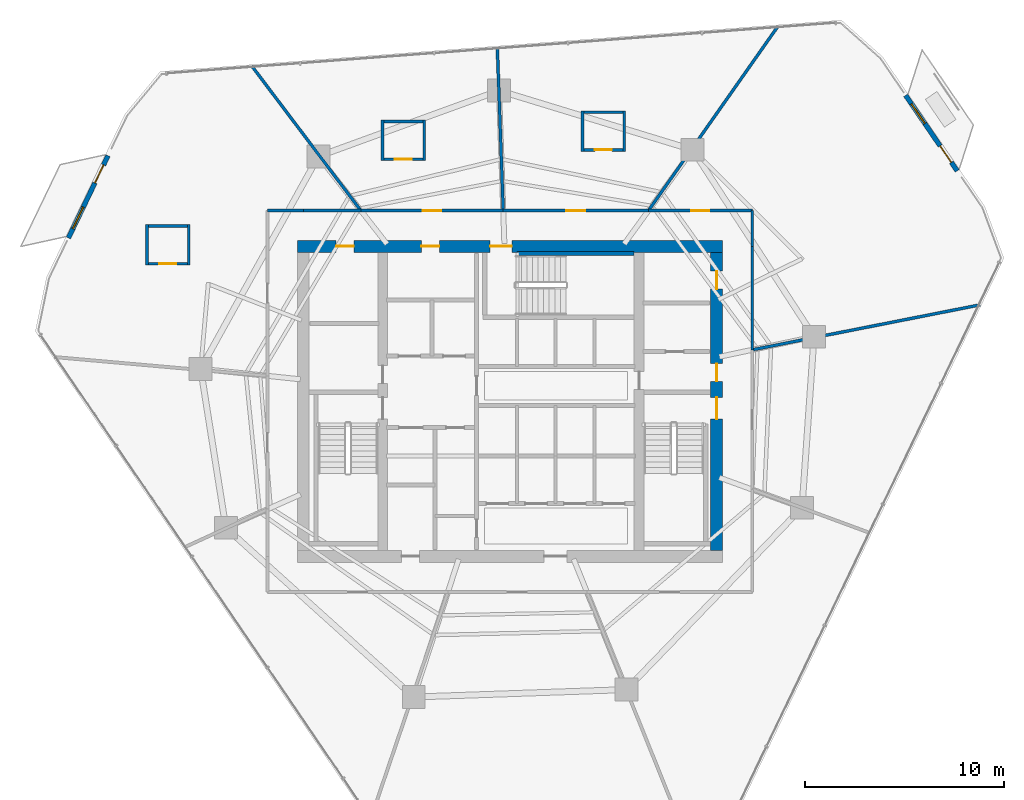
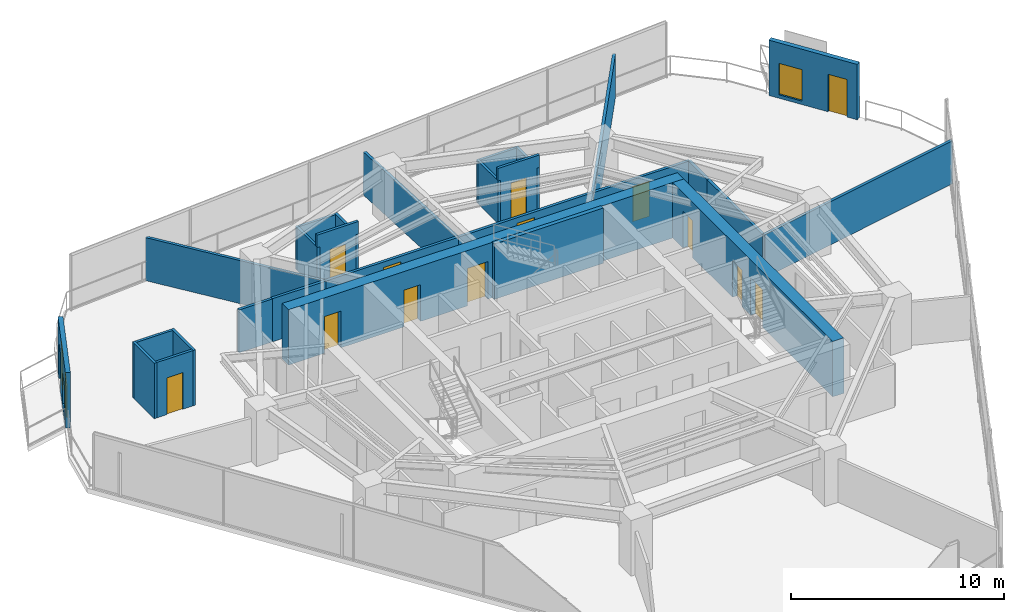
# One storey, part 26 of 30: 28 walls, 14 doors, 2 windows, 16 openings.
"""IFC4 building model written with IfcOpenShell, lengths in metres."""

from ifc_helpers import new_model, si_unit, direction, frame, frame_2d, origin, place, context, subcontext, project, spatial, rectangle, extrude, material, layer, layer_set, type_object, element, fill, save


model = new_model("IFC4")

# Units and contexts
model_context = context("Model", 3, precision=1e-05, world=origin(), true_north=direction((0.0, 1.0)))
body_context = subcontext(model_context, "Body", "Model", "MODEL_VIEW")
ifc_project = project(units=[si_unit("LENGTHUNIT", "METRE"), si_unit("AREAUNIT", "SQUARE_METRE"), si_unit("VOLUMEUNIT", "CUBIC_METRE"), si_unit("PLANEANGLEUNIT", "RADIAN"), si_unit("MASSUNIT", "GRAM", prefix="KILO")], contexts=[model_context])

# Site, building, storey
site_placement = place(None, origin())
site = spatial("IfcSite", under=ifc_project, at=site_placement, CompositionType="ELEMENT")
building_placement = place(site_placement, origin())
building = spatial("IfcBuilding", under=site, at=building_placement, Name="Qarnah Convention Tower", CompositionType="ELEMENT")
storey_placement = place(building_placement, frame((0.0, 0.0, 83.25)))
storey = spatial("IfcBuildingStorey", under=building, at=storey_placement, Name="L21", CompositionType="ELEMENT", Elevation=83.25)

# Wall, openings, doors
ifc_material_1 = material(Name="Concrete C60/75", Category="concrete")
ifc_layer_1 = layer(ifc_material_1, 0.60009765625)
ifc_layer_set_1 = layer_set([ifc_layer_1], Name="Concrete C60/75")
wall_type_1 = type_object("IfcWallType", Name="WL-CORE-600", PredefinedType="SHEAR", material=ifc_layer_set_1)
wall_1_placement = place(storey_placement, frame((26.5, 34.199951171875, 0.0), z_axis=(0.0, 0.0, 1.0), x_axis=(1.0, 0.0, 0.0)))
wall_1 = element("IfcWall", 1, at=wall_1_placement, inside=storey, type_object=wall_type_1, Name="L21 core north shear wall", PredefinedType="SHEAR", context=body_context, shape_type="SweptSolid", body=[
    extrude(rectangle(XDim=21.39990234375, YDim=0.60009765625, at=frame_2d((10.699951171875, 0.0))), origin(), (0.0, 0.0, 1.0), 3.169921875),
])
opening_1_placement = place(wall_1_placement, frame((9.699951171875, 0.0, 0.0)))
opening_1 = element("IfcOpeningElement", 2, at=opening_1_placement, cuts=wall_1, Name="Opening D-2103", PredefinedType="OPENING", context=body_context, shape_type="SweptSolid", body=[
    extrude(rectangle(XDim=1.10009765625, YDim=2.14990234375, at=frame_2d((0.550048828125, 1.074951171875))), frame((0.0, 0.31005859375, 0.0), z_axis=(0.0, -1.0, 0.0), x_axis=(1.0, 0.0, 0.0)), (0.0, 0.0, 1.0), 0.6201171875),
])
opening_2_placement = place(wall_1_placement, frame((1.949951171875, 0.0, 0.0)))
opening_2 = element("IfcOpeningElement", 3, at=opening_2_placement, cuts=wall_1, Name="Opening D-2109", PredefinedType="OPENING", context=body_context, shape_type="SweptSolid", body=[
    extrude(rectangle(XDim=0.89990234375, YDim=2.10009765625, at=frame_2d((0.449951171875, 1.050048828125))), frame((0.0, 0.31005859375, 0.0), z_axis=(0.0, -1.0, 0.0), x_axis=(1.0, 0.0, 0.0)), (0.0, 0.0, 1.0), 0.6201171875),
])
opening_3_placement = place(wall_1_placement, frame((6.25, 0.0, 0.0)))
opening_3 = element("IfcOpeningElement", 4, at=opening_3_placement, cuts=wall_1, Name="Opening D-2110", PredefinedType="OPENING", context=body_context, shape_type="SweptSolid", body=[
    extrude(rectangle(XDim=0.89990234375, YDim=2.10009765625, at=frame_2d((0.449951171875, 1.050048828125))), frame((0.0, 0.31005859375, 0.0), z_axis=(0.0, -1.0, 0.0), x_axis=(1.0, 0.0, 0.0)), (0.0, 0.0, 1.0), 0.6201171875),
])
ifc_material_2 = material(Name="Structural steel S355JR", Category="steel")
door_type_1 = type_object("IfcDoorType", Name="DT-RISER-900", OperationType="NOTDEFINED", PredefinedType="DOOR", material=ifc_material_2)
door_1_placement = place(opening_2_placement, origin())
door_1 = element("IfcDoor", 5, at=door_1_placement, inside=storey, type_object=door_type_1, Name="Door D-2109", OperationType="SINGLE_SWING_LEFT", OverallHeight=2.10009765625, OverallWidth=0.89990234375, PredefinedType="DOOR", context=body_context, shape_type="SweptSolid", body=[
    extrude(rectangle(XDim=0.89990234375, YDim=2.10009765625, at=frame_2d((0.449951171875, 1.050048828125))), frame((0.0, 0.02490234375, 0.0), z_axis=(0.0, -1.0, 0.0), x_axis=(1.0, 0.0, 0.0)), (0.0, 0.0, 1.0), 0.050048828125),
])
fill(opening_2, door_1)
door_2_placement = place(opening_3_placement, origin())
door_2 = element("IfcDoor", 6, at=door_2_placement, inside=storey, type_object=door_type_1, Name="Door D-2110", OperationType="SINGLE_SWING_RIGHT", OverallHeight=2.10009765625, OverallWidth=0.89990234375, PredefinedType="DOOR", context=body_context, shape_type="SweptSolid", body=[
    extrude(rectangle(XDim=0.89990234375, YDim=2.10009765625, at=frame_2d((0.449951171875, 1.050048828125))), frame((0.0, 0.02490234375, 0.0), z_axis=(0.0, -1.0, 0.0), x_axis=(1.0, 0.0, 0.0)), (0.0, 0.0, 1.0), 0.050048828125),
])
fill(opening_3, door_2)
door_type_2 = type_object("IfcDoorType", Name="DT-STAIR-1100", OperationType="NOTDEFINED", PredefinedType="DOOR", material=ifc_material_2)
door_3_placement = place(opening_1_placement, origin())
door_3 = element("IfcDoor", 7, at=door_3_placement, inside=storey, type_object=door_type_2, Name="Door D-2103", OperationType="SINGLE_SWING_LEFT", OverallHeight=2.14990234375, OverallWidth=1.10009765625, PredefinedType="DOOR", context=body_context, shape_type="SweptSolid", body=[
    extrude(rectangle(XDim=1.10009765625, YDim=2.14990234375, at=frame_2d((0.550048828125, 1.074951171875))), frame((0.0, 0.02490234375, 0.0), z_axis=(0.0, -1.0, 0.0), x_axis=(1.0, 0.0, 0.0)), (0.0, 0.0, 1.0), 0.050048828125),
])
fill(opening_1, door_3)

wall_2_placement = place(storey_placement, frame((47.60009765625, 18.89990234375, 0.0), z_axis=(0.0, 0.0, 1.0), x_axis=(0.0, 1.0, 0.0)))
wall_2 = element("IfcWall", 8, at=wall_2_placement, inside=storey, type_object=wall_type_1, Name="L21 core east shear wall", PredefinedType="SHEAR", context=body_context, shape_type="SweptSolid", body=[
    extrude(rectangle(XDim=15.0, YDim=0.60009765625, at=frame_2d((7.5, 0.0))), origin(), (0.0, 0.0, 1.0), 3.169921875),
])
opening_4_placement = place(wall_2_placement, frame((6.60009765625, 0.0, 0.0)))
opening_4 = element("IfcOpeningElement", 9, at=opening_4_placement, cuts=wall_2, Name="Opening D-2102", PredefinedType="OPENING", context=body_context, shape_type="SweptSolid", body=[
    extrude(rectangle(XDim=1.10009765625, YDim=2.14990234375, at=frame_2d((0.550048828125, 1.074951171875))), frame((0.0, 0.31005859375, 0.0), z_axis=(0.0, -1.0, 0.0), x_axis=(1.0, 0.0, 0.0)), (0.0, 0.0, 1.0), 0.6201171875),
])
opening_5_placement = place(wall_2_placement, frame((8.5, 0.0, 0.0)))
opening_5 = element("IfcOpeningElement", 10, at=opening_5_placement, cuts=wall_2, Name="Opening D-2106", PredefinedType="OPENING", context=body_context, shape_type="SweptSolid", body=[
    extrude(rectangle(XDim=0.89990234375, YDim=2.10009765625, at=frame_2d((0.449951171875, 1.050048828125))), frame((0.0, 0.31005859375, 0.0), z_axis=(0.0, -1.0, 0.0), x_axis=(1.0, 0.0, 0.0)), (0.0, 0.0, 1.0), 0.6201171875),
])
opening_6_placement = place(wall_2_placement, frame((13.14990234375, 0.0, 0.0)))
opening_6 = element("IfcOpeningElement", 11, at=opening_6_placement, cuts=wall_2, Name="Opening D-2112", PredefinedType="OPENING", context=body_context, shape_type="SweptSolid", body=[
    extrude(rectangle(XDim=0.89990234375, YDim=2.10009765625, at=frame_2d((0.449951171875, 1.050048828125))), frame((0.0, 0.31005859375, 0.0), z_axis=(0.0, -1.0, 0.0), x_axis=(1.0, 0.0, 0.0)), (0.0, 0.0, 1.0), 0.6201171875),
])
door_4_placement = place(opening_5_placement, origin())
door_4 = element("IfcDoor", 12, at=door_4_placement, inside=storey, type_object=door_type_1, Name="Door D-2106", OperationType="SINGLE_SWING_RIGHT", OverallHeight=2.10009765625, OverallWidth=0.89990234375, PredefinedType="DOOR", context=body_context, shape_type="SweptSolid", body=[
    extrude(rectangle(XDim=0.89990234375, YDim=2.10009765625, at=frame_2d((0.449951171875, 1.050048828125))), frame((0.0, 0.02490234375, 0.0), z_axis=(0.0, -1.0, 0.0), x_axis=(1.0, 0.0, 0.0)), (0.0, 0.0, 1.0), 0.050048828125),
])
fill(opening_5, door_4)
door_5_placement = place(opening_6_placement, origin())
door_5 = element("IfcDoor", 13, at=door_5_placement, inside=storey, type_object=door_type_1, Name="Door D-2112", OperationType="SINGLE_SWING_RIGHT", OverallHeight=2.10009765625, OverallWidth=0.89990234375, PredefinedType="DOOR", context=body_context, shape_type="SweptSolid", body=[
    extrude(rectangle(XDim=0.89990234375, YDim=2.10009765625, at=frame_2d((0.449951171875, 1.050048828125))), frame((0.0, 0.02490234375, 0.0), z_axis=(0.0, -1.0, 0.0), x_axis=(1.0, 0.0, 0.0)), (0.0, 0.0, 1.0), 0.050048828125),
])
fill(opening_6, door_5)
door_6_placement = place(opening_4_placement, origin())
door_6 = element("IfcDoor", 14, at=door_6_placement, inside=storey, type_object=door_type_2, Name="Door D-2102", OperationType="SINGLE_SWING_RIGHT", OverallHeight=2.14990234375, OverallWidth=1.10009765625, PredefinedType="DOOR", context=body_context, shape_type="SweptSolid", body=[
    extrude(rectangle(XDim=1.10009765625, YDim=2.14990234375, at=frame_2d((0.550048828125, 1.074951171875))), frame((0.0, 0.02490234375, 0.0), z_axis=(0.0, -1.0, 0.0), x_axis=(1.0, 0.0, 0.0)), (0.0, 0.0, 1.0), 0.050048828125),
])
fill(opening_4, door_6)

# Wall
ifc_layer_2 = layer(ifc_material_1, 0.219970703125)
ifc_layer_set_2 = layer_set([ifc_layer_2], Name="Concrete C60/75")
wall_type_2 = type_object("IfcWallType", Name="WL-CORE-STAIR-220", PredefinedType="SHEAR", material=ifc_layer_set_2)
wall_3_placement = place(storey_placement, frame((37.550048828125, 33.840087890625, 0.0), z_axis=(0.0, 0.0, 1.0), x_axis=(1.0, 0.0, 0.0)))
element("IfcWall", 15, at=wall_3_placement, inside=storey, type_object=wall_type_2, Name="L21 stair shaft shear wall SW-L21-ST3N", PredefinedType="SHEAR", context=body_context, shape_type="SweptSolid", body=[
    extrude(rectangle(XDim=5.89990234375, YDim=0.219970703125, at=frame_2d((2.949951171875, 0.0))), origin(), (0.0, 0.0, 1.0), 3.169921875),
])

# Wall, openings, door, window
ifc_material_3 = material(Name="Precast concrete C45/55", Category="concrete")
ifc_layer_3 = layer(ifc_material_3, 0.239990234375)
ifc_layer_set_3 = layer_set([ifc_layer_3], Name="Precast concrete C45/55")
wall_type_3 = type_object("IfcWallType", Name="WL-EXT-BAL-240", PredefinedType="SOLIDWALL", material=ifc_layer_set_3)
wall_4_placement = place(storey_placement, frame((57.12109375, 41.800048828125, 0.0), z_axis=(0.0, 0.0, 1.0), x_axis=(0.56364471983, -0.82601733021, 0.0)))
wall_4 = element("IfcWall", 16, at=wall_4_placement, inside=storey, type_object=wall_type_3, Name="L21 loggia threshold wall BAL-L21-C1", PredefinedType="SOLIDWALL", context=body_context, shape_type="SweptSolid", body=[
    extrude(rectangle(XDim=4.600341796875, YDim=0.239990234375, at=frame_2d((2.30029296875, 0.0))), origin(), (0.0, 0.0, 1.0), 3.169921875),
])
opening_7_placement = place(wall_4_placement, frame((3.080078125, 0.0, 0.0)))
opening_7 = element("IfcOpeningElement", 17, at=opening_7_placement, cuts=wall_4, Name="Opening BD-2101", PredefinedType="OPENING", context=body_context, shape_type="SweptSolid", body=[
    extrude(rectangle(XDim=1.0, YDim=2.14990234375, at=frame_2d((0.5, 1.074951171875))), frame((0.0, 0.1298828125, 0.0), z_axis=(0.0, -1.0, 0.0), x_axis=(1.0, 0.0, 0.0)), (0.0, 0.0, 1.0), 0.260009765625),
])
opening_8_placement = place(wall_4_placement, frame((0.52001953125, 0.0, 0.199951171875)))
opening_8 = element("IfcOpeningElement", 18, at=opening_8_placement, cuts=wall_4, Name="Opening WN5", PredefinedType="OPENING", context=body_context, shape_type="SweptSolid", body=[
    extrude(rectangle(XDim=1.199951171875, YDim=1.800048828125, at=frame_2d((0.60009765625, 0.89990234375))), frame((0.0, 0.1298828125, 0.0), z_axis=(0.0, -1.0, 0.0), x_axis=(1.0, 0.0, 0.0)), (0.0, 0.0, 1.0), 0.260009765625),
])
ifc_material_4 = material(Name="Black anodised aluminium", Category="aluminium")
door_type_3 = type_object("IfcDoorType", Name="DT-BAL-1000", OperationType="NOTDEFINED", PredefinedType="DOOR", material=ifc_material_4)
door_7_placement = place(opening_7_placement, origin())
door_7 = element("IfcDoor", 19, at=door_7_placement, inside=storey, type_object=door_type_3, Name="L21 balcony terrace door BAL-L21-C1", OperationType="SINGLE_SWING_LEFT", OverallHeight=2.14990234375, OverallWidth=1.0, PredefinedType="DOOR", context=body_context, shape_type="SweptSolid", body=[
    extrude(rectangle(XDim=1.0, YDim=2.14990234375, at=frame_2d((0.5, 1.074951171875))), frame((0.0, 0.02490234375, 0.0), z_axis=(0.0, -1.0, 0.0), x_axis=(1.0, 0.0, 0.0)), (0.0, 0.0, 1.0), 0.050048828125),
])
fill(opening_7, door_7)
ifc_material_5 = material(Name="Tempered Low-E dark glass", Category="glass")
window_type = type_object("IfcWindowType", Name="WT-BAL-1200X1800", PartitioningType="SINGLE_PANEL", PredefinedType="WINDOW", material=ifc_material_5)
window_1_placement = place(opening_8_placement, origin())
window_1 = element("IfcWindow", 20, at=window_1_placement, inside=storey, type_object=window_type, Name="Window BW-BAL-L21-C1", OverallHeight=1.800048828125, OverallWidth=1.199951171875, PartitioningType="SINGLE_PANEL", PredefinedType="WINDOW", context=body_context, shape_type="SweptSolid", body=[
    extrude(rectangle(XDim=1.199951171875, YDim=1.800048828125, at=frame_2d((0.60009765625, 0.89990234375))), frame((0.0, 0.030029296875, 0.0), z_axis=(0.0, -1.0, 0.0), x_axis=(1.0, 0.0, 0.0)), (0.0, 0.0, 1.0), 0.06005859375),
])
fill(opening_8, window_1)

wall_5_placement = place(storey_placement, frame((14.97900390625, 34.62109375, 0.0), z_axis=(0.0, 0.0, 1.0), x_axis=(0.433233086898, 0.901281916171, 0.0)))
wall_5 = element("IfcWall", 21, at=wall_5_placement, inside=storey, type_object=wall_type_3, Name="L21 loggia threshold wall BAL-L21-C2", PredefinedType="SOLIDWALL", context=body_context, shape_type="SweptSolid", body=[
    extrude(rectangle(XDim=4.60009765625, YDim=0.239990234375, at=frame_2d((2.300048828125, 0.0))), origin(), (0.0, 0.0, 1.0), 3.169921875),
])
opening_9_placement = place(wall_5_placement, frame((3.080078125, 0.0, 0.0)))
opening_9 = element("IfcOpeningElement", 22, at=opening_9_placement, cuts=wall_5, Name="Opening BD-2102", PredefinedType="OPENING", context=body_context, shape_type="SweptSolid", body=[
    extrude(rectangle(XDim=1.0, YDim=2.14990234375, at=frame_2d((0.5, 1.074951171875))), frame((0.0, 0.1298828125, 0.0), z_axis=(0.0, -1.0, 0.0), x_axis=(1.0, 0.0, 0.0)), (0.0, 0.0, 1.0), 0.260009765625),
])
opening_10_placement = place(wall_5_placement, frame((0.52001953125, 0.0, 0.199951171875)))
opening_10 = element("IfcOpeningElement", 23, at=opening_10_placement, cuts=wall_5, Name="Opening WN5", PredefinedType="OPENING", context=body_context, shape_type="SweptSolid", body=[
    extrude(rectangle(XDim=1.199951171875, YDim=1.800048828125, at=frame_2d((0.60009765625, 0.89990234375))), frame((0.0, 0.1298828125, 0.0), z_axis=(0.0, -1.0, 0.0), x_axis=(1.0, 0.0, 0.0)), (0.0, 0.0, 1.0), 0.260009765625),
])
door_8_placement = place(opening_9_placement, origin())
door_8 = element("IfcDoor", 24, at=door_8_placement, inside=storey, type_object=door_type_3, Name="L21 balcony terrace door BAL-L21-C2", OperationType="SINGLE_SWING_RIGHT", OverallHeight=2.14990234375, OverallWidth=1.0, PredefinedType="DOOR", context=body_context, shape_type="SweptSolid", body=[
    extrude(rectangle(XDim=1.0, YDim=2.14990234375, at=frame_2d((0.5, 1.074951171875))), frame((0.0, 0.02490234375, 0.0), z_axis=(0.0, -1.0, 0.0), x_axis=(1.0, 0.0, 0.0)), (0.0, 0.0, 1.0), 0.050048828125),
])
fill(opening_9, door_8)
window_2_placement = place(opening_10_placement, origin())
window_2 = element("IfcWindow", 25, at=window_2_placement, inside=storey, type_object=window_type, Name="Window BW-BAL-L21-C2", OverallHeight=1.800048828125, OverallWidth=1.199951171875, PartitioningType="SINGLE_PANEL", PredefinedType="WINDOW", context=body_context, shape_type="SweptSolid", body=[
    extrude(rectangle(XDim=1.199951171875, YDim=1.800048828125, at=frame_2d((0.60009765625, 0.89990234375))), frame((0.0, 0.030029296875, 0.0), z_axis=(0.0, -1.0, 0.0), x_axis=(1.0, 0.0, 0.0)), (0.0, 0.0, 1.0), 0.06005859375),
])
fill(opening_10, window_2)

# Wall
ifc_material_6 = material(Name="Gypsum partition board")
ifc_layer_4 = layer(ifc_material_6, 0.14990234375)
ifc_layer_set_4 = layer_set([ifc_layer_4], Name="Gypsum partition board")
wall_type_4 = type_object("IfcWallType", Name="WL-SUITE-150", PredefinedType="PARTITIONING", material=ifc_layer_set_4)
wall_6_placement = place(storey_placement, frame((50.701904296875, 45.2919921875, 0.0), z_axis=(0.0, 0.0, 1.0), x_axis=(-0.574789126983, -0.818301570023, 0.0)))
element("IfcWall", 26, at=wall_6_placement, inside=storey, type_object=wall_type_4, Name="L21 interior wall IW-L21-R-13", PredefinedType="PARTITIONING", context=body_context, shape_type="SweptSolid", body=[
    extrude(rectangle(XDim=11.355224609375, YDim=0.14990234375, at=frame_2d((5.677734375, 0.0))), origin(), (0.0, 0.0, 1.0), 2.467041015625),
])

# Wall, opening, door
wall_7_placement = place(storey_placement, frame((44.175048828125, 36.0, 0.0), z_axis=(0.0, 0.0, 1.0), x_axis=(1.0, 0.0, 0.0)))
wall_7 = element("IfcWall", 27, at=wall_7_placement, inside=storey, type_object=wall_type_4, Name="L21 interior wall IW-L21-R-14", PredefinedType="PARTITIONING", context=body_context, shape_type="SweptSolid", body=[
    extrude(rectangle(XDim=5.224853515625, YDim=0.14990234375, at=frame_2d((2.6123046875, 0.0))), origin(), (0.0, 0.0, 1.0), 2.455078125),
])
opening_11_placement = place(wall_7_placement, frame((2.1630859375, 0.0, 0.0)))
opening_11 = element("IfcOpeningElement", 28, at=opening_11_placement, cuts=wall_7, Name="Opening D-2116", PredefinedType="OPENING", context=body_context, shape_type="SweptSolid", body=[
    extrude(rectangle(XDim=0.89990234375, YDim=2.0, at=frame_2d((0.449951171875, 1.0))), frame((0.0, 0.0849609375, 0.0), z_axis=(0.0, -1.0, 0.0), x_axis=(1.0, 0.0, 0.0)), (0.0, 0.0, 1.0), 0.169921875),
])
door_type_4 = type_object("IfcDoorType", Name="DT-PLANT-900", OperationType="NOTDEFINED", PredefinedType="DOOR", material=ifc_material_2)
door_9_placement = place(opening_11_placement, origin())
door_9 = element("IfcDoor", 29, at=door_9_placement, inside=storey, type_object=door_type_4, Name="Door D-2116", OperationType="SINGLE_SWING_RIGHT", OverallHeight=2.0, OverallWidth=0.89990234375, PredefinedType="DOOR", context=body_context, shape_type="SweptSolid", body=[
    extrude(rectangle(XDim=0.89990234375, YDim=2.0, at=frame_2d((0.449951171875, 1.0))), frame((0.0, 0.02490234375, 0.0), z_axis=(0.0, -1.0, 0.0), x_axis=(1.0, 0.0, 0.0)), (0.0, 0.0, 1.0), 0.050048828125),
])
fill(opening_11, door_9)

# Walls
wall_8_placement = place(storey_placement, frame((49.39990234375, 36.0, 0.0), z_axis=(0.0, 0.0, 1.0), x_axis=(0.0, -1.0, 0.0)))
element("IfcWall", 30, at=wall_8_placement, inside=storey, type_object=wall_type_4, Name="L21 interior wall IW-L21-R-15", PredefinedType="PARTITIONING", context=body_context, shape_type="SweptSolid", body=[
    extrude(rectangle(XDim=1.800048828125, YDim=0.14990234375, at=frame_2d((0.89990234375, 0.0))), origin(), (0.0, 0.0, 1.0), 2.455078125),
])
wall_9_placement = place(storey_placement, frame((49.39990234375, 34.199951171875, 0.0), z_axis=(0.0, 0.0, 1.0), x_axis=(0.0, -1.0, 0.0)))
element("IfcWall", 31, at=wall_9_placement, inside=storey, type_object=wall_type_4, Name="L21 interior wall IW-L21-R-16", PredefinedType="PARTITIONING", context=body_context, shape_type="SweptSolid", body=[
    extrude(rectangle(XDim=5.20703125, YDim=0.14990234375, at=frame_2d((2.603515625, 0.0))), origin(), (0.0, 0.0, 1.0), 2.455078125),
])
wall_10_placement = place(storey_placement, frame((49.39990234375, 28.992919921875, 0.0), z_axis=(0.0, 0.0, 1.0), x_axis=(0.981084988004, 0.193577494334, 0.0)))
element("IfcWall", 32, at=wall_10_placement, inside=storey, type_object=wall_type_4, Name="L21 interior wall IW-L21-R-17", PredefinedType="PARTITIONING", context=body_context, shape_type="SweptSolid", body=[
    extrude(rectangle(XDim=11.69140625, YDim=0.14990234375, at=frame_2d((5.845703125, 0.0))), origin(), (0.0, 0.0, 1.0), 2.467041015625),
])
wall_11_placement = place(storey_placement, frame((36.56689453125, 44.2060546875, 0.0), z_axis=(0.0, 0.0, 1.0), x_axis=(0.036302367609, -0.999340851815, 0.0)))
element("IfcWall", 33, at=wall_11_placement, inside=storey, type_object=wall_type_4, Name="L21 interior wall IW-L21-R-18", PredefinedType="PARTITIONING", context=body_context, shape_type="SweptSolid", body=[
    extrude(rectangle(XDim=8.21142578125, YDim=0.14990234375, at=frame_2d((4.105712890625, 0.0))), origin(), (0.0, 0.0, 1.0), 2.467041015625),
])

# Wall, opening, door
wall_12_placement = place(storey_placement, frame((36.864990234375, 36.0, 0.0), z_axis=(0.0, 0.0, 1.0), x_axis=(1.0, 0.0, 0.0)))
wall_12 = element("IfcWall", 34, at=wall_12_placement, inside=storey, type_object=wall_type_4, Name="L21 interior wall IW-L21-R-19", PredefinedType="PARTITIONING", context=body_context, shape_type="SweptSolid", body=[
    extrude(rectangle(XDim=7.31005859375, YDim=0.14990234375, at=frame_2d((3.655029296875, 0.0))), origin(), (0.0, 0.0, 1.0), 2.467041015625),
])
opening_12_placement = place(wall_12_placement, frame((3.179931640625, 0.0, 0.0)))
opening_12 = element("IfcOpeningElement", 35, at=opening_12_placement, cuts=wall_12, Name="Opening D-2117", PredefinedType="OPENING", context=body_context, shape_type="SweptSolid", body=[
    extrude(rectangle(XDim=0.949951171875, YDim=2.14990234375, at=frame_2d((0.47509765625, 1.074951171875))), frame((0.0, 0.0849609375, 0.0), z_axis=(0.0, -1.0, 0.0), x_axis=(1.0, 0.0, 0.0)), (0.0, 0.0, 1.0), 0.169921875),
])
ifc_material_7 = material(Name="Oak timber veneer", Category="wood")
door_type_5 = type_object("IfcDoorType", Name="DT-HOTEL-950", OperationType="NOTDEFINED", PredefinedType="DOOR", material=ifc_material_7)
door_10_placement = place(opening_12_placement, origin())
door_10 = element("IfcDoor", 36, at=door_10_placement, inside=storey, type_object=door_type_5, Name="Door D-2117", OperationType="SINGLE_SWING_LEFT", OverallHeight=2.14990234375, OverallWidth=0.949951171875, PredefinedType="DOOR", context=body_context, shape_type="SweptSolid", body=[
    extrude(rectangle(XDim=0.949951171875, YDim=2.14990234375, at=frame_2d((0.47509765625, 1.074951171875))), frame((0.0, 0.02490234375, 0.0), z_axis=(0.0, -1.0, 0.0), x_axis=(1.0, 0.0, 0.0)), (0.0, 0.0, 1.0), 0.050048828125),
])
fill(opening_12, door_10)

# Wall
wall_13_placement = place(storey_placement, frame((24.205078125, 43.284912109375, 0.0), z_axis=(0.0, 0.0, 1.0), x_axis=(0.602185283837, -0.798356363994, 0.0)))
element("IfcWall", 37, at=wall_13_placement, inside=storey, type_object=wall_type_4, Name="L21 interior wall IW-L21-R-20", PredefinedType="PARTITIONING", context=body_context, shape_type="SweptSolid", body=[
    extrude(rectangle(XDim=9.125, YDim=0.14990234375, at=frame_2d((4.5625, 0.0))), origin(), (0.0, 0.0, 1.0), 2.467041015625),
])

# Wall, opening, door
wall_14_placement = place(storey_placement, frame((29.699951171875, 36.0, 0.0), z_axis=(0.0, 0.0, 1.0), x_axis=(1.0, 0.0, 0.0)))
wall_14 = element("IfcWall", 38, at=wall_14_placement, inside=storey, type_object=wall_type_4, Name="L21 interior wall IW-L21-R-21", PredefinedType="PARTITIONING", context=body_context, shape_type="SweptSolid", body=[
    extrude(rectangle(XDim=7.1650390625, YDim=0.14990234375, at=frame_2d((3.58251953125, 0.0))), origin(), (0.0, 0.0, 1.0), 2.467041015625),
])
opening_13_placement = place(wall_14_placement, frame((3.10791015625, 0.0, 0.0)))
opening_13 = element("IfcOpeningElement", 39, at=opening_13_placement, cuts=wall_14, Name="Opening D-2119", PredefinedType="OPENING", context=body_context, shape_type="SweptSolid", body=[
    extrude(rectangle(XDim=0.949951171875, YDim=2.14990234375, at=frame_2d((0.47509765625, 1.074951171875))), frame((0.0, 0.0849609375, 0.0), z_axis=(0.0, -1.0, 0.0), x_axis=(1.0, 0.0, 0.0)), (0.0, 0.0, 1.0), 0.169921875),
])
door_11_placement = place(opening_13_placement, origin())
door_11 = element("IfcDoor", 40, at=door_11_placement, inside=storey, type_object=door_type_5, Name="Door D-2119", OperationType="SINGLE_SWING_LEFT", OverallHeight=2.14990234375, OverallWidth=0.949951171875, PredefinedType="DOOR", context=body_context, shape_type="SweptSolid", body=[
    extrude(rectangle(XDim=0.949951171875, YDim=2.14990234375, at=frame_2d((0.47509765625, 1.074951171875))), frame((0.0, 0.02490234375, 0.0), z_axis=(0.0, -1.0, 0.0), x_axis=(1.0, 0.0, 0.0)), (0.0, 0.0, 1.0), 0.050048828125),
])
fill(opening_13, door_11)

# Walls
wall_15_placement = place(storey_placement, frame((25.0, 36.0, 0.0), z_axis=(0.0, 0.0, 1.0), x_axis=(1.0, 0.0, 0.0)))
element("IfcWall", 41, at=wall_15_placement, inside=storey, type_object=wall_type_4, Name="L21 interior wall IW-L21-R-24", PredefinedType="PARTITIONING", context=body_context, shape_type="SweptSolid", body=[
    extrude(rectangle(XDim=1.800048828125, YDim=0.14990234375, at=frame_2d((0.89990234375, 0.0))), origin(), (0.0, 0.0, 1.0), 2.455078125),
])
wall_16_placement = place(storey_placement, frame((26.800048828125, 36.0, 0.0), z_axis=(0.0, 0.0, 1.0), x_axis=(1.0, 0.0, 0.0)))
element("IfcWall", 42, at=wall_16_placement, inside=storey, type_object=wall_type_4, Name="L21 interior wall IW-L21-R-25", PredefinedType="PARTITIONING", context=body_context, shape_type="SweptSolid", body=[
    extrude(rectangle(XDim=2.89990234375, YDim=0.14990234375, at=frame_2d((1.449951171875, 0.0))), origin(), (0.0, 0.0, 1.0), 2.467041015625),
])

# Wall, opening, door
ifc_layer_5 = layer(ifc_material_6, 0.139892578125)
ifc_layer_set_5 = layer_set([ifc_layer_5], Name="Gypsum partition board")
wall_type_5 = type_object("IfcWallType", Name="WL-WET-140", PredefinedType="PARTITIONING", material=ifc_layer_set_5)
wall_17_placement = place(storey_placement, frame((40.783935546875, 39.052978515625, 0.0), z_axis=(0.0, 0.0, 1.0), x_axis=(1.0, 0.0, 0.0)))
wall_17 = element("IfcWall", 43, at=wall_17_placement, inside=storey, type_object=wall_type_5, Name="L21 interior wall IW-L21-ENS01-1", PredefinedType="PARTITIONING", context=body_context, shape_type="SweptSolid", body=[
    extrude(rectangle(XDim=2.239990234375, YDim=0.139892578125, at=frame_2d((1.1201171875, 0.0))), origin(), (0.0, 0.0, 1.0), 3.169921875),
])
opening_14_placement = place(wall_17_placement, frame((0.695068359375, 0.0, 0.0)))
opening_14 = element("IfcOpeningElement", 44, at=opening_14_placement, cuts=wall_17, Name="Opening D-2118", PredefinedType="OPENING", context=body_context, shape_type="SweptSolid", body=[
    extrude(rectangle(XDim=0.85009765625, YDim=2.10009765625, at=frame_2d((0.425048828125, 1.050048828125))), frame((0.0, 0.079833984375, 0.0), z_axis=(0.0, -1.0, 0.0), x_axis=(1.0, 0.0, 0.0)), (0.0, 0.0, 1.0), 0.159912109375),
])
door_type_6 = type_object("IfcDoorType", Name="DT-BATH-850", OperationType="NOTDEFINED", PredefinedType="DOOR", material=ifc_material_7)
door_12_placement = place(opening_14_placement, origin())
door_12 = element("IfcDoor", 45, at=door_12_placement, inside=storey, type_object=door_type_6, Name="Door D-2118", OperationType="SINGLE_SWING_RIGHT", OverallHeight=2.10009765625, OverallWidth=0.85009765625, PredefinedType="DOOR", context=body_context, shape_type="SweptSolid", body=[
    extrude(rectangle(XDim=0.85009765625, YDim=2.10009765625, at=frame_2d((0.425048828125, 1.050048828125))), frame((0.0, 0.02490234375, 0.0), z_axis=(0.0, -1.0, 0.0), x_axis=(1.0, 0.0, 0.0)), (0.0, 0.0, 1.0), 0.050048828125),
])
fill(opening_14, door_12)

# Walls
wall_18_placement = place(storey_placement, frame((42.9541015625, 38.98291015625, 0.0), z_axis=(0.0, 0.0, 1.0), x_axis=(0.0, 1.0, 0.0)))
element("IfcWall", 46, at=wall_18_placement, inside=storey, type_object=wall_type_5, Name="L21 interior wall IW-L21-ENS01-2", PredefinedType="PARTITIONING", context=body_context, shape_type="SweptSolid", body=[
    extrude(rectangle(XDim=2.0400390625, YDim=0.139892578125, at=frame_2d((1.02001953125, 0.0))), origin(), (0.0, 0.0, 1.0), 2.455078125),
])
wall_19_placement = place(storey_placement, frame((43.02392578125, 40.952880859375, 0.0), z_axis=(0.0, 0.0, 1.0), x_axis=(-1.0, 0.0, 0.0)))
element("IfcWall", 47, at=wall_19_placement, inside=storey, type_object=wall_type_5, Name="L21 interior wall IW-L21-ENS01-3", PredefinedType="PARTITIONING", context=body_context, shape_type="SweptSolid", body=[
    extrude(rectangle(XDim=2.239990234375, YDim=0.139892578125, at=frame_2d((1.1201171875, 0.0))), origin(), (0.0, 0.0, 1.0), 2.455078125),
])
wall_20_placement = place(storey_placement, frame((40.85400390625, 41.02294921875, 0.0), z_axis=(0.0, 0.0, 1.0), x_axis=(0.0, -1.0, 0.0)))
element("IfcWall", 48, at=wall_20_placement, inside=storey, type_object=wall_type_5, Name="L21 interior wall IW-L21-ENS01-4", PredefinedType="PARTITIONING", context=body_context, shape_type="SweptSolid", body=[
    extrude(rectangle(XDim=2.0400390625, YDim=0.139892578125, at=frame_2d((1.02001953125, 0.0))), origin(), (0.0, 0.0, 1.0), 2.455078125),
])

# Wall, opening, door
wall_21_placement = place(storey_placement, frame((30.719970703125, 38.583984375, 0.0), z_axis=(0.0, 0.0, 1.0), x_axis=(1.0, 0.0, 0.0)))
wall_21 = element("IfcWall", 49, at=wall_21_placement, inside=storey, type_object=wall_type_5, Name="L21 interior wall IW-L21-ENS02-1", PredefinedType="PARTITIONING", context=body_context, shape_type="SweptSolid", body=[
    extrude(rectangle(XDim=2.239990234375, YDim=0.139892578125, at=frame_2d((1.1201171875, 0.0))), origin(), (0.0, 0.0, 1.0), 3.169921875),
])
opening_15_placement = place(wall_21_placement, frame((0.695068359375, 0.0, 0.0)))
opening_15 = element("IfcOpeningElement", 50, at=opening_15_placement, cuts=wall_21, Name="Opening D-2120", PredefinedType="OPENING", context=body_context, shape_type="SweptSolid", body=[
    extrude(rectangle(XDim=0.85009765625, YDim=2.10009765625, at=frame_2d((0.425048828125, 1.050048828125))), frame((0.0, 0.079833984375, 0.0), z_axis=(0.0, -1.0, 0.0), x_axis=(1.0, 0.0, 0.0)), (0.0, 0.0, 1.0), 0.159912109375),
])
door_13_placement = place(opening_15_placement, origin())
door_13 = element("IfcDoor", 51, at=door_13_placement, inside=storey, type_object=door_type_6, Name="Door D-2120", OperationType="SINGLE_SWING_RIGHT", OverallHeight=2.10009765625, OverallWidth=0.85009765625, PredefinedType="DOOR", context=body_context, shape_type="SweptSolid", body=[
    extrude(rectangle(XDim=0.85009765625, YDim=2.10009765625, at=frame_2d((0.425048828125, 1.050048828125))), frame((0.0, 0.02490234375, 0.0), z_axis=(0.0, -1.0, 0.0), x_axis=(1.0, 0.0, 0.0)), (0.0, 0.0, 1.0), 0.050048828125),
])
fill(opening_15, door_13)

# Walls
wall_22_placement = place(storey_placement, frame((32.889892578125, 38.513916015625, 0.0), z_axis=(0.0, 0.0, 1.0), x_axis=(0.0, 1.0, 0.0)))
element("IfcWall", 52, at=wall_22_placement, inside=storey, type_object=wall_type_5, Name="L21 interior wall IW-L21-ENS02-2", PredefinedType="PARTITIONING", context=body_context, shape_type="SweptSolid", body=[
    extrude(rectangle(XDim=2.0400390625, YDim=0.139892578125, at=frame_2d((1.02001953125, 0.0))), origin(), (0.0, 0.0, 1.0), 2.455078125),
])
wall_23_placement = place(storey_placement, frame((32.9599609375, 40.48388671875, 0.0), z_axis=(0.0, 0.0, 1.0), x_axis=(-1.0, 0.0, 0.0)))
element("IfcWall", 53, at=wall_23_placement, inside=storey, type_object=wall_type_5, Name="L21 interior wall IW-L21-ENS02-3", PredefinedType="PARTITIONING", context=body_context, shape_type="SweptSolid", body=[
    extrude(rectangle(XDim=2.239990234375, YDim=0.139892578125, at=frame_2d((1.1201171875, 0.0))), origin(), (0.0, 0.0, 1.0), 2.455078125),
])
wall_24_placement = place(storey_placement, frame((30.7900390625, 40.553955078125, 0.0), z_axis=(0.0, 0.0, 1.0), x_axis=(0.0, -1.0, 0.0)))
element("IfcWall", 54, at=wall_24_placement, inside=storey, type_object=wall_type_5, Name="L21 interior wall IW-L21-ENS02-4", PredefinedType="PARTITIONING", context=body_context, shape_type="SweptSolid", body=[
    extrude(rectangle(XDim=2.0400390625, YDim=0.139892578125, at=frame_2d((1.02001953125, 0.0))), origin(), (0.0, 0.0, 1.0), 2.455078125),
])

# Wall, opening, door
wall_25_placement = place(storey_placement, frame((18.864013671875, 33.323974609375, 0.0), z_axis=(0.0, 0.0, 1.0), x_axis=(1.0, 0.0, 0.0)))
wall_25 = element("IfcWall", 55, at=wall_25_placement, inside=storey, type_object=wall_type_5, Name="L21 interior wall IW-L21-ENS03-1", PredefinedType="PARTITIONING", context=body_context, shape_type="SweptSolid", body=[
    extrude(rectangle(XDim=2.239990234375, YDim=0.139892578125, at=frame_2d((1.1201171875, 0.0))), origin(), (0.0, 0.0, 1.0), 3.169921875),
])
opening_16_placement = place(wall_25_placement, frame((0.695068359375, 0.0, 0.0)))
opening_16 = element("IfcOpeningElement", 56, at=opening_16_placement, cuts=wall_25, Name="Opening D-2122", PredefinedType="OPENING", context=body_context, shape_type="SweptSolid", body=[
    extrude(rectangle(XDim=0.85009765625, YDim=2.10009765625, at=frame_2d((0.425048828125, 1.050048828125))), frame((0.0, 0.079833984375, 0.0), z_axis=(0.0, -1.0, 0.0), x_axis=(1.0, 0.0, 0.0)), (0.0, 0.0, 1.0), 0.159912109375),
])
door_14_placement = place(opening_16_placement, origin())
door_14 = element("IfcDoor", 57, at=door_14_placement, inside=storey, type_object=door_type_6, Name="Door D-2122", OperationType="SINGLE_SWING_RIGHT", OverallHeight=2.10009765625, OverallWidth=0.85009765625, PredefinedType="DOOR", context=body_context, shape_type="SweptSolid", body=[
    extrude(rectangle(XDim=0.85009765625, YDim=2.10009765625, at=frame_2d((0.425048828125, 1.050048828125))), frame((0.0, 0.02490234375, 0.0), z_axis=(0.0, -1.0, 0.0), x_axis=(1.0, 0.0, 0.0)), (0.0, 0.0, 1.0), 0.050048828125),
])
fill(opening_16, door_14)

# Walls
wall_26_placement = place(storey_placement, frame((21.033935546875, 33.25390625, 0.0), z_axis=(0.0, 0.0, 1.0), x_axis=(0.0, 1.0, 0.0)))
element("IfcWall", 58, at=wall_26_placement, inside=storey, type_object=wall_type_5, Name="L21 interior wall IW-L21-ENS03-2", PredefinedType="PARTITIONING", context=body_context, shape_type="SweptSolid", body=[
    extrude(rectangle(XDim=2.0400390625, YDim=0.139892578125, at=frame_2d((1.02001953125, 0.0))), origin(), (0.0, 0.0, 1.0), 3.169921875),
])
wall_27_placement = place(storey_placement, frame((21.10400390625, 35.22412109375, 0.0), z_axis=(0.0, 0.0, 1.0), x_axis=(-1.0, 0.0, 0.0)))
element("IfcWall", 59, at=wall_27_placement, inside=storey, type_object=wall_type_5, Name="L21 interior wall IW-L21-ENS03-3", PredefinedType="PARTITIONING", context=body_context, shape_type="SweptSolid", body=[
    extrude(rectangle(XDim=2.239990234375, YDim=0.139892578125, at=frame_2d((1.1201171875, 0.0))), origin(), (0.0, 0.0, 1.0), 3.169921875),
])
wall_28_placement = place(storey_placement, frame((18.93408203125, 35.2939453125, 0.0), z_axis=(0.0, 0.0, 1.0), x_axis=(0.0, -1.0, 0.0)))
element("IfcWall", 60, at=wall_28_placement, inside=storey, type_object=wall_type_5, Name="L21 interior wall IW-L21-ENS03-4", PredefinedType="PARTITIONING", context=body_context, shape_type="SweptSolid", body=[
    extrude(rectangle(XDim=2.0400390625, YDim=0.139892578125, at=frame_2d((1.02001953125, 0.0))), origin(), (0.0, 0.0, 1.0), 3.169921875),
])

save(model, "model.ifc")
